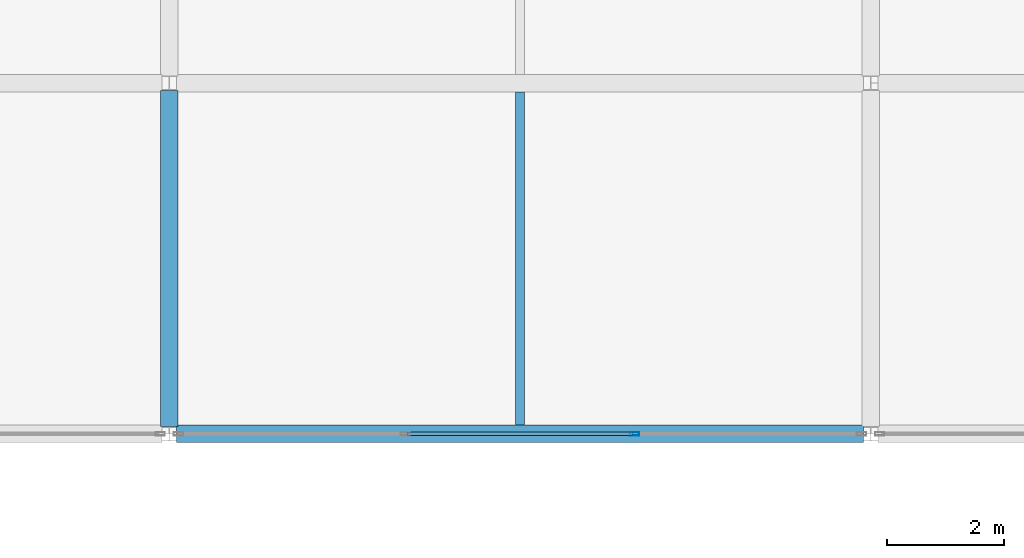
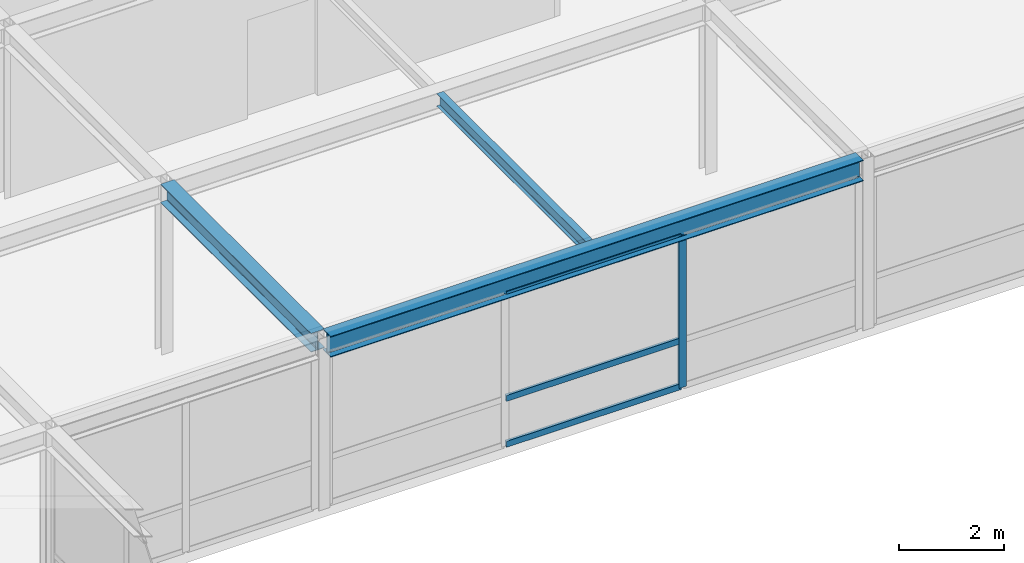
# One storey, part 72 of 111: 4 members, 3 beams, 1 element without a shape of its own.
"""IFC4 building model written with IfcOpenShell, lengths in metres."""

from ifc_helpers import new_model, si_unit, direction, frame, origin, origin_2d, place, context, subcontext, project, spatial, hollow_rectangle, i_section, extrude, material, layer, layer_set, material_profile, profile_set, type_object, element, aggregate, save


model = new_model("IFC4")

# Units and contexts
model_context = context("Model", 3, precision=1e-05, world=origin(), true_north=direction((0.0, 1.0)))
body_context = subcontext(model_context, "Body", "Model", "MODEL_VIEW")
ifc_project = project(units=[si_unit("LENGTHUNIT", "METRE"), si_unit("AREAUNIT", "SQUARE_METRE"), si_unit("VOLUMEUNIT", "CUBIC_METRE"), si_unit("PLANEANGLEUNIT", "RADIAN"), si_unit("MASSUNIT", "GRAM", prefix="KILO")], contexts=[model_context])

# Site, building, storey
site_placement = place(None, origin())
site = spatial("IfcSite", under=ifc_project, at=site_placement, CompositionType="ELEMENT")
building_placement = place(site_placement, origin())
building = spatial("IfcBuilding", under=site, at=building_placement, Name="Zlatovratsky Civic Hall", CompositionType="ELEMENT")
storey_placement = place(building_placement, frame((0.0, 0.0, 16.5)))
storey = spatial("IfcBuildingStorey", under=building, at=storey_placement, Name="L04", CompositionType="ELEMENT", Elevation=16.5)

# Beams
ifc_material_1 = material(Name="Steel S355", Category="steel")
ifc_material_profile_1 = material_profile(ifc_material_1, i_section(OverallWidth=0.300048828125, OverallDepth=0.487060546875, WebThickness=0.014404296875, FlangeThickness=0.017578125, FilletRadius=0.02392578125, at=origin_2d()), Name="50Sh2")
ifc_profile_set_1 = profile_set([ifc_material_profile_1], Name="Steel S355")
beam_type_1 = type_object("IfcBeamType", Name="Beam_ArchiveGirder_50Sh2", PredefinedType="BEAM", material=ifc_profile_set_1)
beam_1_placement = place(storey_placement, frame((24.125, 66.0, 3.756591796875), z_axis=(1.0, 0.0, 0.0), x_axis=(0.0, 1.0, 0.0)))
element("IfcBeam", 1, at=beam_1_placement, inside=storey, type_object=beam_type_1, Name="BM-3333", PredefinedType="BEAM", context=body_context, shape_type="SweptSolid", body=[
    extrude(i_section(OverallWidth=0.300048828125, OverallDepth=0.487060546875, WebThickness=0.014404296875, FlangeThickness=0.017578125, FilletRadius=0.02392578125, at=origin_2d()), origin(), (0.0, 0.0, 1.0), 11.75),
])
ifc_material_profile_2 = material_profile(ifc_material_1, i_section(OverallWidth=0.300048828125, OverallDepth=0.43994140625, WebThickness=0.010986328125, FlangeThickness=0.01806640625, FilletRadius=0.02197265625, at=origin_2d()), Name="45Sh1")
ifc_profile_set_2 = profile_set([ifc_material_profile_2], Name="Steel S355")
beam_type_2 = type_object("IfcBeamType", Name="Beam_TowerLow_45Sh1", PredefinedType="BEAM", material=ifc_profile_set_2)
beam_2_placement = place(storey_placement, frame((24.0, 66.125, 3.780029296875), z_axis=(0.0, 1.0, 0.0), x_axis=(-1.0, 0.0, 0.0)))
element("IfcBeam", 2, at=beam_2_placement, inside=storey, type_object=beam_type_2, Name="BM-3566", PredefinedType="BEAM", context=body_context, shape_type="SweptSolid", body=[
    extrude(i_section(OverallWidth=0.300048828125, OverallDepth=0.43994140625, WebThickness=0.010986328125, FlangeThickness=0.01806640625, FilletRadius=0.02197265625, at=origin_2d()), origin(), (0.0, 0.0, 1.0), 5.75),
])

# Curtain wall, members
ifc_material_2 = material(Name="Anodised bronze aluminium", Category="aluminium")
ifc_layer = layer(ifc_material_2, 0.159912109375)
ifc_layer_set = layer_set([ifc_layer], Name="Anodised bronze aluminium")
curtain_wall_type = type_object("IfcCurtainWallType", Name="CurtainWall_Bronze_11750x3550_17", PredefinedType="NOTDEFINED", material=ifc_layer_set)
curtain_wall_placement = place(storey_placement, origin())
curtain_wall = element("IfcCurtainWall", 3, at=curtain_wall_placement, inside=storey, type_object=curtain_wall_type, Name="CW-097", PredefinedType="NOTDEFINED")
ifc_material_profile_3 = material_profile(ifc_material_2, hollow_rectangle(XDim=0.06005859375, YDim=0.159912109375, WallThickness=0.00390625, at=origin_2d()), Name="ALU 60x160x4")
ifc_profile_set_3 = profile_set([ifc_material_profile_3], Name="Anodised bronze aluminium")
member_type_1 = type_object("IfcMemberType", Name="CW_Mullion_60x160", PredefinedType="MULLION", material=ifc_profile_set_3)
member_1_placement = place(storey_placement, frame((31.958251953125, 66.0, 0.0), z_axis=(0.0, 0.0, 1.0), x_axis=(0.0, 1.0, 0.0)))
member_1 = element("IfcMember", 4, at=member_1_placement, type_object=member_type_1, Name="CW-17 mullion 3", PredefinedType="MULLION", context=body_context, shape_type="SweptSolid", body=[
    extrude(hollow_rectangle(XDim=0.06005859375, YDim=0.159912109375, WallThickness=0.00390625, at=origin_2d()), origin(), (0.0, 0.0, 1.0), 3.550048828125),
])
ifc_material_profile_4 = material_profile(ifc_material_2, hollow_rectangle(XDim=0.06005859375, YDim=0.139892578125, WallThickness=0.00390625, at=origin_2d()), Name="ALU 60x140x4")
ifc_profile_set_4 = profile_set([ifc_material_profile_4], Name="Anodised bronze aluminium")
member_type_2 = type_object("IfcMemberType", Name="CW_Transom_60x140", PredefinedType="USERDEFINED", material=ifc_profile_set_4)
member_2_placement = place(storey_placement, frame((28.07177734375, 66.0, 0.030029296875), z_axis=(1.0, 0.0, 0.0), x_axis=(0.0, 1.0, 0.0)))
member_2 = element("IfcMember", 5, at=member_2_placement, type_object=member_type_2, Name="CW-17 transom 2.1", ObjectType="TRANSOM", PredefinedType="USERDEFINED", context=body_context, shape_type="SweptSolid", body=[
    extrude(hollow_rectangle(XDim=0.06005859375, YDim=0.139892578125, WallThickness=0.00390625, at=origin_2d()), origin(), (0.0, 0.0, 1.0), 3.8564453125),
])
member_3_placement = place(storey_placement, frame((28.07177734375, 66.0, 1.10009765625), z_axis=(1.0, 0.0, 0.0), x_axis=(0.0, 1.0, 0.0)))
member_3 = element("IfcMember", 6, at=member_3_placement, type_object=member_type_2, Name="CW-17 transom 2.2", ObjectType="TRANSOM", PredefinedType="USERDEFINED", context=body_context, shape_type="SweptSolid", body=[
    extrude(hollow_rectangle(XDim=0.06005859375, YDim=0.139892578125, WallThickness=0.00390625, at=origin_2d()), origin(), (0.0, 0.0, 1.0), 3.8564453125),
])
member_4_placement = place(storey_placement, frame((28.07177734375, 66.0, 3.52001953125), z_axis=(1.0, 0.0, 0.0), x_axis=(0.0, 1.0, 0.0)))
member_4 = element("IfcMember", 7, at=member_4_placement, type_object=member_type_2, Name="CW-17 transom 2.3", ObjectType="TRANSOM", PredefinedType="USERDEFINED", context=body_context, shape_type="SweptSolid", body=[
    extrude(hollow_rectangle(XDim=0.06005859375, YDim=0.139892578125, WallThickness=0.00390625, at=origin_2d()), origin(), (0.0, 0.0, 1.0), 3.8564453125),
])
aggregate(curtain_wall, [member_1, member_2, member_3, member_4])

# Beam
ifc_material_profile_5 = material_profile(ifc_material_1, i_section(OverallWidth=0.14892578125, OverallDepth=0.2958984375, WebThickness=0.005615234375, FlangeThickness=0.008056640625, FilletRadius=0.012939453125, at=origin_2d()), Name="30B1")
ifc_profile_set_5 = profile_set([ifc_material_profile_5], Name="Steel S355")
beam_type_3 = type_object("IfcBeamType", Name="Joist_Tower_30B1", PredefinedType="JOIST", material=ifc_profile_set_5)
beam_3_placement = place(storey_placement, frame((30.0, 66.14990234375, 3.85205078125), z_axis=(0.0, 1.0, 0.0), x_axis=(-1.0, 0.0, 0.0)))
element("IfcBeam", 8, at=beam_3_placement, inside=storey, type_object=beam_type_3, Name="BM-3860", PredefinedType="JOIST", context=body_context, shape_type="SweptSolid", body=[
    extrude(i_section(OverallWidth=0.14892578125, OverallDepth=0.2958984375, WebThickness=0.005615234375, FlangeThickness=0.008056640625, FilletRadius=0.012939453125, at=origin_2d()), origin(), (0.0, 0.0, 1.0), 5.7001953125),
])

save(model, "model.ifc")
